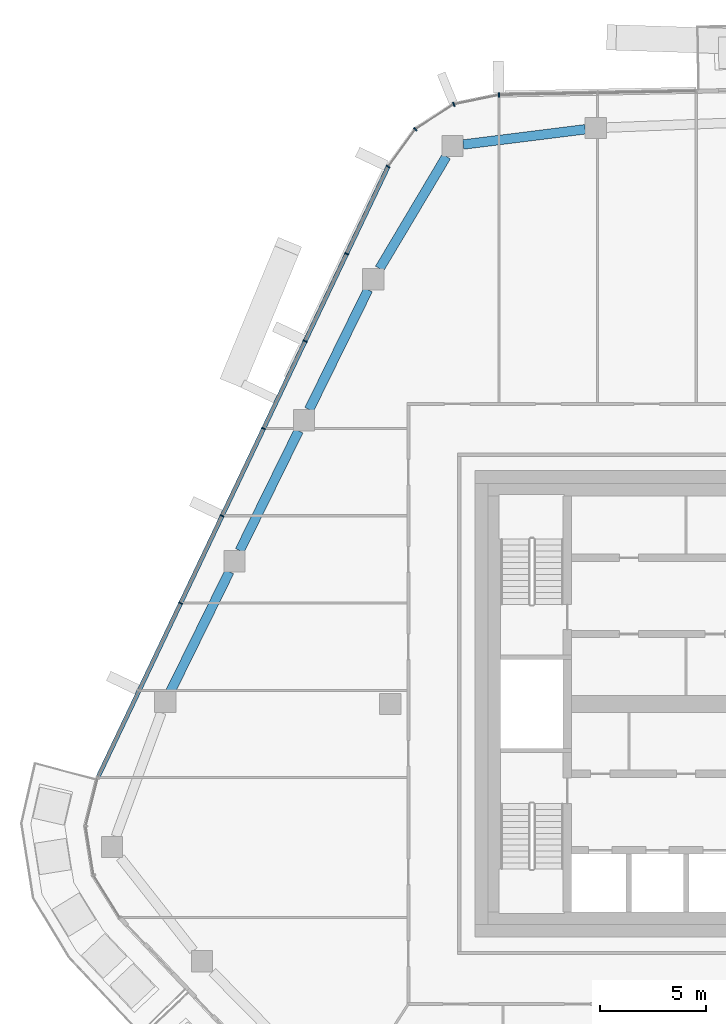
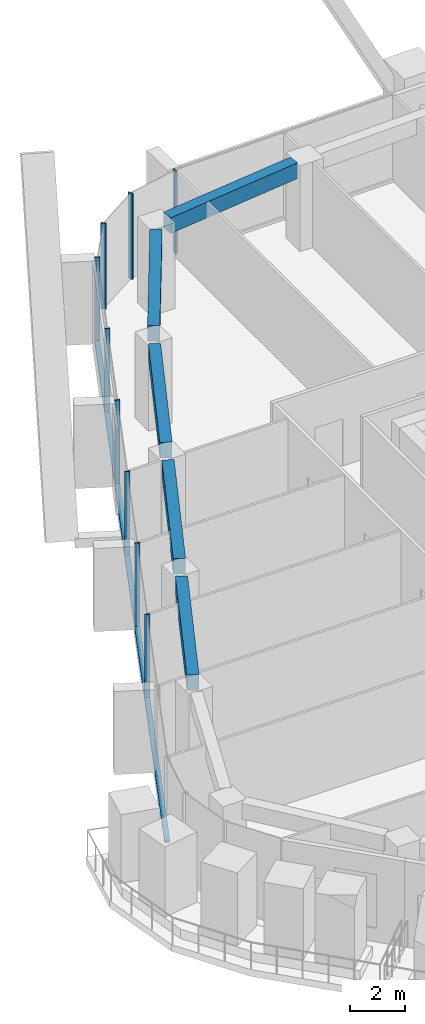
# One storey, part 6 of 24: 10 members, 5 beams, 3 elements without a shape of their own.
"""IFC4 building model written with IfcOpenShell, lengths in metres."""

from ifc_helpers import new_model, si_unit, direction, frame, origin, origin_2d, place, context, subcontext, project, spatial, rectangle, extrude, material, layer, layer_set, material_profile, profile_set, type_object, element, aggregate, save


model = new_model("IFC4")

# Units and contexts
model_context = context("Model", 3, precision=1e-05, world=origin(), true_north=direction((0.0, 1.0)))
body_context = subcontext(model_context, "Body", "Model", "MODEL_VIEW")
ifc_project = project(units=[si_unit("LENGTHUNIT", "METRE"), si_unit("AREAUNIT", "SQUARE_METRE"), si_unit("VOLUMEUNIT", "CUBIC_METRE"), si_unit("PLANEANGLEUNIT", "RADIAN"), si_unit("MASSUNIT", "GRAM", prefix="KILO")], contexts=[model_context])

# Site, building, storey
site_placement = place(None, origin())
site = spatial("IfcSite", under=ifc_project, at=site_placement, CompositionType="ELEMENT")
building_placement = place(site_placement, origin())
building = spatial("IfcBuilding", under=site, at=building_placement, Name="Dongbaek Canopy Tower", CompositionType="ELEMENT")
storey_placement = place(building_placement, frame((0.0, 0.0, 298.39990234375)))
storey = spatial("IfcBuildingStorey", under=building, at=storey_placement, Name="L63", CompositionType="ELEMENT", Elevation=298.39990234375)

# Curtain wall, member
ifc_material_1 = material(Name="Aluminium 6063-T6 pale anodised", Category="aluminium")
ifc_layer = layer(ifc_material_1, 0.199951171875)
ifc_layer_set = layer_set([ifc_layer], Name="CW-1 unitised tower curtain wall")
curtain_wall_type = type_object("IfcCurtainWallType", Name="CW-1 unitised tower curtain wall", PredefinedType="NOTDEFINED", material=ifc_layer_set)
curtain_wall_1_placement = place(storey_placement, origin())
curtain_wall_1 = element("IfcCurtainWall", 1, at=curtain_wall_1_placement, inside=storey, type_object=curtain_wall_type, Name="CW-1 curtain wall F1.1", PredefinedType="NOTDEFINED")
ifc_material_2 = material(Name="Aluminium 6063-T6 pale anodised", Category="aluminium")
ifc_material_profile_1 = material_profile(ifc_material_2, rectangle(XDim=0.199951171875, YDim=0.06005859375, at=origin_2d()), Name="CW-1 mullion 60 x 200")
ifc_profile_set_1 = profile_set([ifc_material_profile_1], Name="Aluminium 6063-T6 pale anodised")
member_type_1 = type_object("IfcMemberType", Name="CW-1 mullion 60 x 200", PredefinedType="MULLION", material=ifc_profile_set_1)
member_1_placement = place(storey_placement, frame((-12.87548828125, 28.720947265625, 0.1201171875), z_axis=(0.0, 0.0, 1.0), x_axis=(-0.018905076744, 0.999821283067, 0.0)))
member_1 = element("IfcMember", 2, at=member_1_placement, type_object=member_type_1, Name="CW-1 mullion F1.1.3", PredefinedType="MULLION", context=body_context, shape_type="SweptSolid", body=[
    extrude(rectangle(XDim=0.199951171875, YDim=0.06005859375, at=origin_2d()), origin(), (0.0, 0.0, 1.0), 3.699951171875),
])
aggregate(curtain_wall_1, [member_1])

# Curtain wall, members
curtain_wall_2_placement = place(storey_placement, origin())
curtain_wall_2 = element("IfcCurtainWall", 3, at=curtain_wall_2_placement, inside=storey, type_object=curtain_wall_type, Name="CW-1 curtain wall K2.1", PredefinedType="NOTDEFINED")
member_2_placement = place(storey_placement, frame((-15.006591796875, 28.28076171875, 0.0), z_axis=(0.0, 0.0, 1.0), x_axis=(-0.378666313952, 0.92553326395, 0.0)))
member_2 = element("IfcMember", 4, at=member_2_placement, type_object=member_type_1, Name="CW-1 mullion K2.1.2", PredefinedType="MULLION", context=body_context, shape_type="SweptSolid", body=[
    extrude(rectangle(XDim=0.199951171875, YDim=0.06005859375, at=origin_2d()), origin(), (0.0, 0.0, 1.0), 3.820068359375),
])
member_3_placement = place(storey_placement, frame((-16.8271484375, 27.10595703125, 0.0), z_axis=(0.0, 0.0, 1.0), x_axis=(-0.687327722008, 0.726347439288, 0.0)))
member_3 = element("IfcMember", 5, at=member_3_placement, type_object=member_type_1, Name="CW-1 mullion K2.1.3", PredefinedType="MULLION", context=body_context, shape_type="SweptSolid", body=[
    extrude(rectangle(XDim=0.199951171875, YDim=0.06005859375, at=origin_2d()), origin(), (0.0, 0.0, 1.0), 3.820068359375),
])
member_4_placement = place(storey_placement, frame((-18.106201171875, 25.34521484375, 0.0), z_axis=(0.0, 0.0, 1.0), x_axis=(-0.809046439446, 0.587744722494, 0.0)))
member_4 = element("IfcMember", 6, at=member_4_placement, type_object=member_type_1, Name="CW-1 mullion K2.1.4", PredefinedType="MULLION", context=body_context, shape_type="SweptSolid", body=[
    extrude(rectangle(XDim=0.199951171875, YDim=0.06005859375, at=origin_2d()), origin(), (0.0, 0.0, 1.0), 3.820068359375),
])
aggregate(curtain_wall_2, [member_2, member_3, member_4])

curtain_wall_3_placement = place(storey_placement, origin())
curtain_wall_3 = element("IfcCurtainWall", 7, at=curtain_wall_3_placement, inside=storey, type_object=curtain_wall_type, Name="CW-1 curtain wall F2.1", PredefinedType="NOTDEFINED")
member_5_placement = place(storey_placement, frame((-20.0595703125, 21.23388671875, 0.1201171875), z_axis=(0.0, 0.0, 1.0), x_axis=(-0.903236413866, 0.429143310174, 0.0)))
member_5 = element("IfcMember", 8, at=member_5_placement, type_object=member_type_1, Name="CW-1 mullion F2.1.2", PredefinedType="MULLION", context=body_context, shape_type="SweptSolid", body=[
    extrude(rectangle(XDim=0.199951171875, YDim=0.06005859375, at=origin_2d()), origin(), (0.0, 0.0, 1.0), 3.699951171875),
])
member_6_placement = place(storey_placement, frame((-22.016845703125, 17.1142578125, 0.1201171875), z_axis=(0.0, 0.0, 1.0), x_axis=(-0.903236413866, 0.429143310174, 0.0)))
member_6 = element("IfcMember", 9, at=member_6_placement, type_object=member_type_1, Name="CW-1 mullion F2.1.3", PredefinedType="MULLION", context=body_context, shape_type="SweptSolid", body=[
    extrude(rectangle(XDim=0.199951171875, YDim=0.06005859375, at=origin_2d()), origin(), (0.0, 0.0, 1.0), 3.699951171875),
])
member_7_placement = place(storey_placement, frame((-23.974365234375, 12.99462890625, 0.1201171875), z_axis=(0.0, 0.0, 1.0), x_axis=(-0.903236413866, 0.429143310174, 0.0)))
member_7 = element("IfcMember", 10, at=member_7_placement, type_object=member_type_1, Name="CW-1 mullion F2.1.4", PredefinedType="MULLION", context=body_context, shape_type="SweptSolid", body=[
    extrude(rectangle(XDim=0.199951171875, YDim=0.06005859375, at=origin_2d()), origin(), (0.0, 0.0, 1.0), 3.699951171875),
])
member_8_placement = place(storey_placement, frame((-25.931640625, 8.875, 0.1201171875), z_axis=(0.0, 0.0, 1.0), x_axis=(-0.903236413866, 0.429143310174, 0.0)))
member_8 = element("IfcMember", 11, at=member_8_placement, type_object=member_type_1, Name="CW-1 mullion F2.1.5", PredefinedType="MULLION", context=body_context, shape_type="SweptSolid", body=[
    extrude(rectangle(XDim=0.199951171875, YDim=0.06005859375, at=origin_2d()), origin(), (0.0, 0.0, 1.0), 3.699951171875),
])
member_9_placement = place(storey_placement, frame((-27.888916015625, 4.755126953125, 0.1201171875), z_axis=(0.0, 0.0, 1.0), x_axis=(-0.903236413866, 0.429143310174, 0.0)))
member_9 = element("IfcMember", 12, at=member_9_placement, type_object=member_type_1, Name="CW-1 mullion F2.1.6", PredefinedType="MULLION", context=body_context, shape_type="SweptSolid", body=[
    extrude(rectangle(XDim=0.199951171875, YDim=0.06005859375, at=origin_2d()), origin(), (0.0, 0.0, 1.0), 3.699951171875),
])
ifc_material_3 = material(Name="Aluminium 6063-T6 pale anodised", Category="aluminium")
ifc_material_profile_2 = material_profile(ifc_material_3, rectangle(XDim=0.199951171875, YDim=0.1201171875, at=origin_2d()), Name="CW-1 transom 120 x 200")
ifc_profile_set_2 = profile_set([ifc_material_profile_2], Name="Aluminium 6063-T6 pale anodised")
member_type_2 = type_object("IfcMemberType", Name="CW-1 transom 120 x 200", PredefinedType="USERDEFINED", material=ifc_profile_set_2)
member_10_placement = place(storey_placement, frame((-18.106201171875, 25.34521484375, 0.06005859375), z_axis=(-0.42914546134, -0.903235391806, 0.0), x_axis=(0.903235391806, -0.42914546134, 0.0)))
member_10 = element("IfcMember", 13, at=member_10_placement, type_object=member_type_2, Name="CW-1 transom F2.1.1", ObjectType="TRANSOM", PredefinedType="USERDEFINED", context=body_context, shape_type="SweptSolid", body=[
    extrude(rectangle(XDim=0.199951171875, YDim=0.1201171875, at=origin_2d()), origin(), (0.0, 0.0, 1.0), 31.907958984375),
])
aggregate(curtain_wall_3, [member_5, member_6, member_7, member_8, member_9, member_10])

# Beams
ifc_material_4 = material(Name="Concrete C60", Category="concrete")
ifc_material_profile_3 = material_profile(ifc_material_4, rectangle(XDim=0.449951171875, YDim=0.699951171875, at=origin_2d()), Name="RC EDGE BEAM 450x700 C60")
ifc_profile_set_3 = profile_set([ifc_material_profile_3], Name="Concrete C60")
beam_type = type_object("IfcBeamType", Name="RC EDGE BEAM 450x700 C60", PredefinedType="BEAM", material=ifc_profile_set_3)
for number, where, z_axis, x_axis, name in (
    (14, (-28.37109375, 0.5859375, 3.47021484375), (0.441293546446, 0.897362806152, 0.0), (-0.897362806152, 0.441293546446, 0.0), "EDGEBEAM:L63:09"),
    (15, (-25.10107421875, 7.235107421875, 3.47021484375), (0.441433810223, 0.897293815421, 0.0), (-0.897293815421, 0.441433810223, 0.0), "EDGEBEAM:L63:10"),
):
    element("IfcBeam", number, at=place(storey_placement, frame(where, z_axis=z_axis, x_axis=x_axis)), inside=storey, type_object=beam_type, Name=name, PredefinedType="BEAM", context=body_context, shape_type="SweptSolid", body=[
        extrude(rectangle(XDim=0.449951171875, YDim=0.699951171875, at=origin_2d()), origin(), (0.0, 0.0, 1.0), 6.29541015625),
    ])
beam_1_placement = place(storey_placement, frame((-21.830078125, 13.884033203125, 3.47021484375), z_axis=(0.441370345445, 0.897325034846, 0.0), x_axis=(-0.897325034846, 0.441370345445, 0.0)))
element("IfcBeam", 16, at=beam_1_placement, inside=storey, type_object=beam_type, Name="EDGEBEAM:L63:11", PredefinedType="BEAM", context=body_context, shape_type="SweptSolid", body=[
    extrude(rectangle(XDim=0.449951171875, YDim=0.699951171875, at=origin_2d()), origin(), (0.0, 0.0, 1.0), 6.294189453125),
])
beam_2_placement = place(storey_placement, frame((-18.50830078125, 20.531982421875, 3.47021484375), z_axis=(0.511535459107, 0.859262168419, 0.0), x_axis=(-0.859262168419, 0.511535459107, 0.0)))
element("IfcBeam", 17, at=beam_2_placement, inside=storey, type_object=beam_type, Name="EDGEBEAM:L63:12", PredefinedType="BEAM", context=body_context, shape_type="SweptSolid", body=[
    extrude(rectangle(XDim=0.449951171875, YDim=0.699951171875, at=origin_2d()), origin(), (0.0, 0.0, 1.0), 6.1552734375),
])
beam_3_placement = place(storey_placement, frame((-14.56201171875, 26.38330078125, 3.47021484375), z_axis=(0.992296006086, 0.123889613389, 0.0), x_axis=(-0.123889613389, 0.992296006086, 0.0)))
element("IfcBeam", 18, at=beam_3_placement, inside=storey, type_object=beam_type, Name="EDGEBEAM:L63:13", PredefinedType="BEAM", context=body_context, shape_type="SweptSolid", body=[
    extrude(rectangle(XDim=0.449951171875, YDim=0.699951171875, at=origin_2d()), origin(), (0.0, 0.0, 1.0), 5.797607421875),
])

save(model, "model.ifc")
